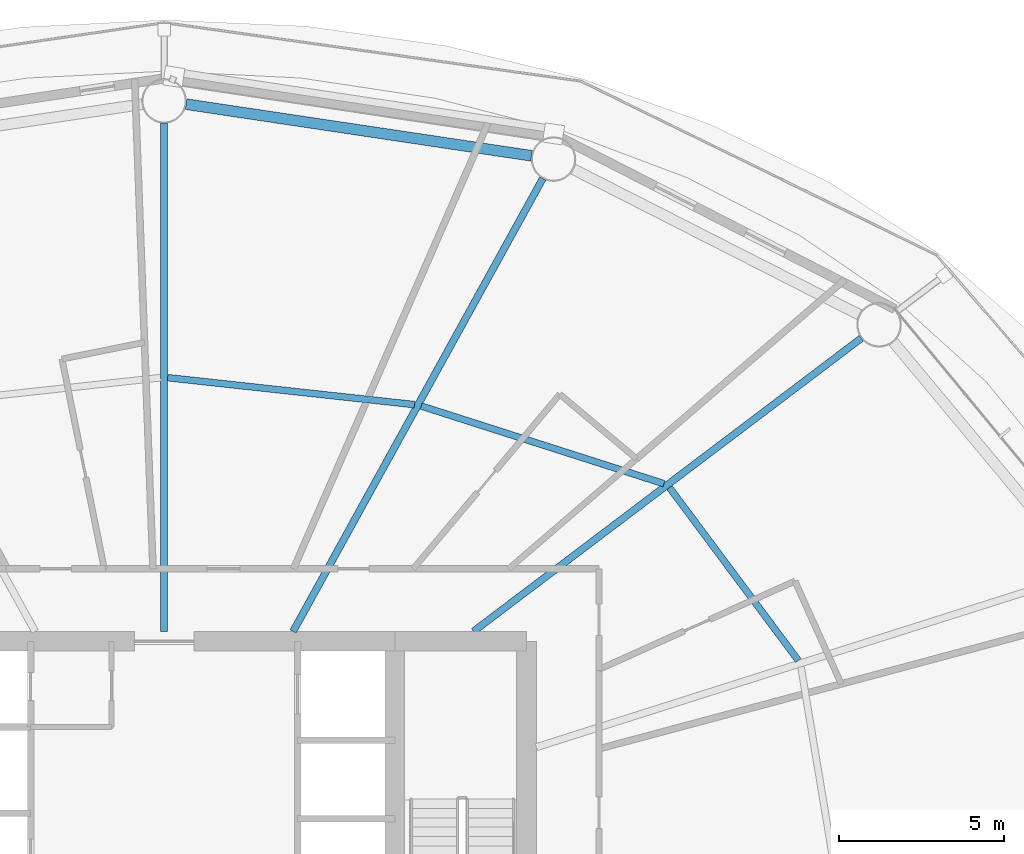
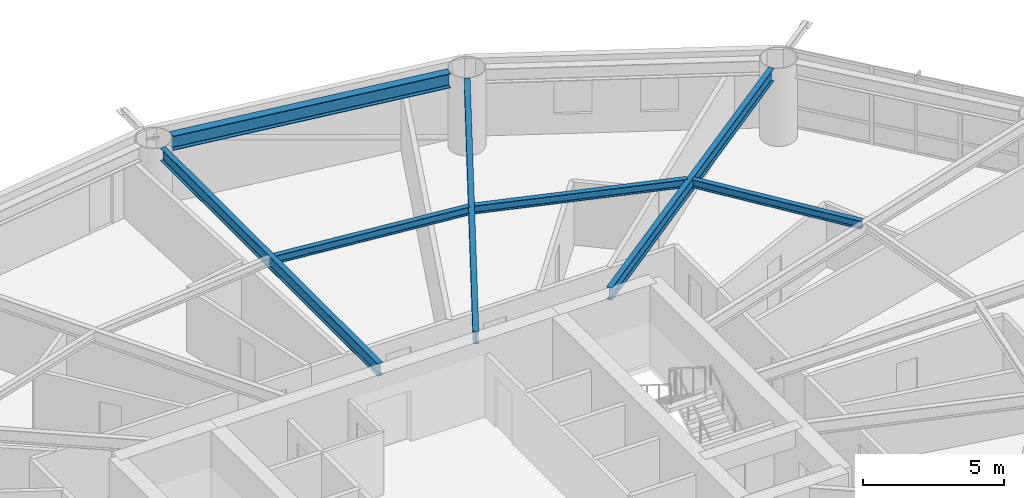
# One storey, part 13 of 26: 7 beams.
"""IFC4 building model written with IfcOpenShell, lengths in metres."""

from ifc_helpers import new_model, si_unit, direction, frame, origin, origin_2d, place, context, subcontext, project, spatial, i_section, extrude, material, material_profile, profile_set, type_object, element, save


model = new_model("IFC4")

# Units and contexts
model_context = context("Model", 3, precision=1e-05, world=origin(), true_north=direction((0.0, 1.0)))
body_context = subcontext(model_context, "Body", "Model", "MODEL_VIEW")
ifc_project = project(units=[si_unit("LENGTHUNIT", "METRE"), si_unit("AREAUNIT", "SQUARE_METRE"), si_unit("VOLUMEUNIT", "CUBIC_METRE"), si_unit("PLANEANGLEUNIT", "RADIAN"), si_unit("MASSUNIT", "GRAM", prefix="KILO")], contexts=[model_context])

# Site, building, storey
site_placement = place(None, origin())
site = spatial("IfcSite", under=ifc_project, at=site_placement, CompositionType="ELEMENT")
building_placement = place(site_placement, origin())
building = spatial("IfcBuilding", under=site, at=building_placement, Name="Sarneth Arch Tower", CompositionType="ELEMENT")
storey_placement = place(building_placement, frame((0.0, 0.0, 46.199951171875)))
storey = spatial("IfcBuildingStorey", under=building, at=storey_placement, Name="L10", CompositionType="ELEMENT", Elevation=46.199951171875)

# Beams
ifc_material_1 = material(Name="Steel S355", Category="steel")
ifc_material_profile_1 = material_profile(ifc_material_1, i_section(OverallWidth=0.2041015625, OverallDepth=0.35009765625, WebThickness=0.008544921875, FlangeThickness=0.01513671875, FilletRadius=0.014892578125, at=origin_2d()), Name="W360x72")
ifc_profile_set_1 = profile_set([ifc_material_profile_1], Name="Steel S355")
beam_type_1 = type_object("IfcBeamType", Name="BM-JOIST-360D", PredefinedType="JOIST", material=ifc_profile_set_1)
beam_1_placement = place(storey_placement, frame((67.2470703125, 48.216552734375, 3.205078125), z_axis=(-0.597453564101, 0.801903509621, 0.0), x_axis=(-0.801903509621, -0.597453564101, 0.0)))
element("IfcBeam", 1, at=beam_1_placement, inside=storey, type_object=beam_type_1, Name="L10 Secondary floor joist 02", PredefinedType="JOIST", context=body_context, shape_type="SweptSolid", body=[
    extrude(i_section(OverallWidth=0.2041015625, OverallDepth=0.35009765625, WebThickness=0.008544921875, FlangeThickness=0.01513671875, FilletRadius=0.014892578125, at=origin_2d()), origin(), (0.0, 0.0, 1.0), 6.542724609375),
])
beam_2_placement = place(storey_placement, frame((63.17236328125, 53.58154296875, 3.205078125), z_axis=(-0.952436240143, 0.304737934073, 0.0), x_axis=(-0.304737934073, -0.952436240143, 0.0)))
element("IfcBeam", 2, at=beam_2_placement, inside=storey, type_object=beam_type_1, Name="L10 Secondary floor joist 03", PredefinedType="JOIST", context=body_context, shape_type="SweptSolid", body=[
    extrude(i_section(OverallWidth=0.2041015625, OverallDepth=0.35009765625, WebThickness=0.008544921875, FlangeThickness=0.01513671875, FilletRadius=0.014892578125, at=origin_2d()), origin(), (0.0, 0.0, 1.0), 7.735107421875),
])
beam_3_placement = place(storey_placement, frame((55.596923828125, 55.983154296875, 3.205078125), z_axis=(-0.994095251924, 0.108510967657, 0.0), x_axis=(-0.108510967657, -0.994095251924, 0.0)))
element("IfcBeam", 3, at=beam_3_placement, inside=storey, type_object=beam_type_1, Name="L10 Secondary floor joist 04", PredefinedType="JOIST", context=body_context, shape_type="SweptSolid", body=[
    extrude(i_section(OverallWidth=0.2041015625, OverallDepth=0.35009765625, WebThickness=0.008544921875, FlangeThickness=0.01513671875, FilletRadius=0.014892578125, at=origin_2d()), origin(), (0.0, 0.0, 1.0), 7.534912109375),
])
ifc_material_2 = material(Name="Steel S355", Category="steel")
ifc_material_profile_2 = material_profile(ifc_material_2, i_section(OverallWidth=0.214111328125, OverallDepth=0.549072265625, WebThickness=0.0146484375, FlangeThickness=0.023681640625, FilletRadius=0.01806640625, at=origin_2d()), Name="W530x138")
ifc_profile_set_2 = profile_set([ifc_material_profile_2], Name="Steel S355")
beam_type_2 = type_object("IfcBeamType", Name="BM-RAD-530A", PredefinedType="BEAM", material=ifc_profile_set_2)
beam_4_placement = place(storey_placement, frame((57.390380859375, 49.10009765625, 3.10546875), z_axis=(0.797656612852, 0.603111870198, 0.0), x_axis=(-0.603111870198, 0.797656612852, 0.0)))
element("IfcBeam", 4, at=beam_4_placement, inside=storey, type_object=beam_type_2, Name="L10 Radial floor girder 03", PredefinedType="BEAM", context=body_context, shape_type="SweptSolid", body=[
    extrude(i_section(OverallWidth=0.214111328125, OverallDepth=0.549072265625, WebThickness=0.0146484375, FlangeThickness=0.023681640625, FilletRadius=0.01806640625, at=origin_2d()), origin(), (0.0, 0.0, 1.0), 14.7529296875),
])
beam_5_placement = place(storey_placement, frame((51.91455078125, 49.10009765625, 3.10546875), z_axis=(0.482837562311, 0.875709933952, 0.0), x_axis=(-0.875709933952, 0.482837562311, 0.0)))
element("IfcBeam", 5, at=beam_5_placement, inside=storey, type_object=beam_type_2, Name="L10 Radial floor girder 04", PredefinedType="BEAM", context=body_context, shape_type="SweptSolid", body=[
    extrude(i_section(OverallWidth=0.214111328125, OverallDepth=0.549072265625, WebThickness=0.0146484375, FlangeThickness=0.023681640625, FilletRadius=0.01806640625, at=origin_2d()), origin(), (0.0, 0.0, 1.0), 15.693359375),
])
beam_6_placement = place(storey_placement, frame((48.0, 49.10009765625, 3.10546875), z_axis=(0.0, 1.0, 0.0), x_axis=(-1.0, 0.0, 0.0)))
element("IfcBeam", 6, at=beam_6_placement, inside=storey, type_object=beam_type_2, Name="L10 Radial floor girder 05", PredefinedType="BEAM", context=body_context, shape_type="SweptSolid", body=[
    extrude(i_section(OverallWidth=0.214111328125, OverallDepth=0.549072265625, WebThickness=0.0146484375, FlangeThickness=0.023681640625, FilletRadius=0.01806640625, at=origin_2d()), origin(), (0.0, 0.0, 1.0), 15.4248046875),
])
ifc_material_3 = material(Name="Steel S355", Category="steel")
ifc_material_profile_3 = material_profile(ifc_material_3, i_section(OverallWidth=0.326904296875, OverallDepth=0.6220703125, WebThickness=0.015380859375, FlangeThickness=0.0244140625, FilletRadius=0.01904296875, at=origin_2d()), Name="W610x195")
ifc_profile_set_3 = profile_set([ifc_material_profile_3], Name="Steel S355")
beam_type_3 = type_object("IfcBeamType", Name="BM-SPAN-610A", PredefinedType="SPANDREL", material=ifc_profile_set_3)
beam_7_placement = place(storey_placement, frame((59.150146484375, 63.53369140625, 3.069091796875), z_axis=(-0.989015788086, 0.147809914809, 0.0), x_axis=(-0.147809914809, -0.989015788086, 0.0)))
element("IfcBeam", 7, at=beam_7_placement, inside=storey, type_object=beam_type_3, Name="L10 Perimeter spandrel beam 04", PredefinedType="SPANDREL", context=body_context, shape_type="SweptSolid", body=[
    extrude(i_section(OverallWidth=0.326904296875, OverallDepth=0.6220703125, WebThickness=0.015380859375, FlangeThickness=0.0244140625, FilletRadius=0.01904296875, at=origin_2d()), origin(), (0.0, 0.0, 1.0), 10.59912109375),
])

save(model, "model.ifc")
